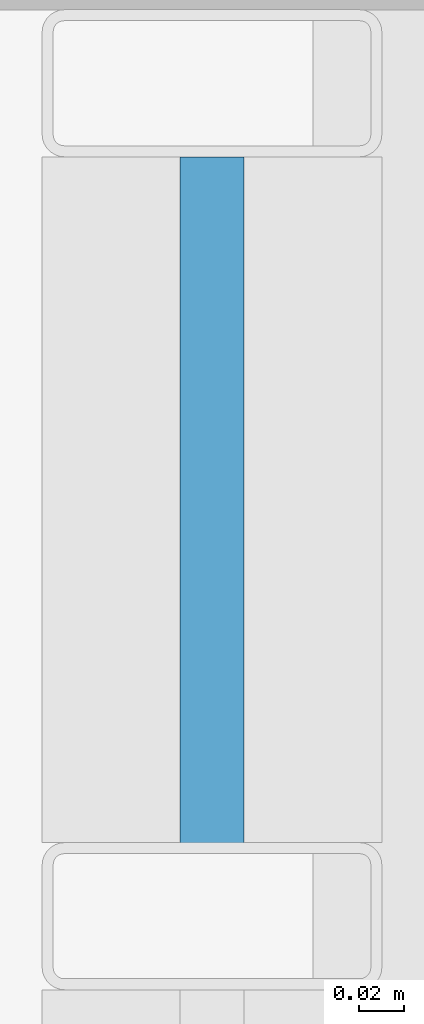
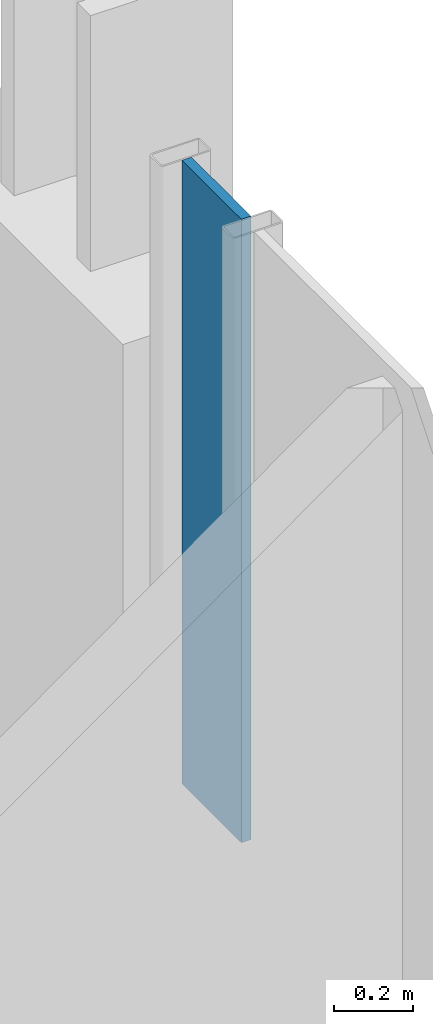
# One storey, part 28 of 40: 1 plate, 1 element without a shape of its own.
"""IFC4 building model written with IfcOpenShell, lengths in metres."""

from ifc_helpers import new_model, si_unit, direction, frame, origin, origin_2d, place, context, subcontext, project, spatial, rectangle, extrude, material, layer, layer_set, type_object, element, aggregate, save


model = new_model("IFC4")

# Units and contexts
model_context = context("Model", 3, precision=1e-05, world=origin(), true_north=direction((0.0, 1.0)))
body_context = subcontext(model_context, "Body", "Model", "MODEL_VIEW")
ifc_project = project(units=[si_unit("LENGTHUNIT", "METRE"), si_unit("AREAUNIT", "SQUARE_METRE"), si_unit("VOLUMEUNIT", "CUBIC_METRE"), si_unit("PLANEANGLEUNIT", "RADIAN"), si_unit("MASSUNIT", "GRAM", prefix="KILO")], contexts=[model_context])

# Site, building, storey
site_placement = place(None, origin())
site = spatial("IfcSite", under=ifc_project, at=site_placement, CompositionType="ELEMENT")
building_placement = place(site_placement, origin())
building = spatial("IfcBuilding", under=site, at=building_placement, Name="Brevholm Reach", CompositionType="ELEMENT")
storey_placement = place(building_placement, frame((0.0, 0.0, 80.699951171875)))
storey = spatial("IfcBuildingStorey", under=building, at=storey_placement, Name="L23", CompositionType="ELEMENT", Elevation=80.699951171875)

# Curtain wall, plate
ifc_material_1 = material(Name="Dark Anodised Aluminium 6063-T6 and Solar-Control Glass", Category="aluminium")
ifc_layer_1 = layer(ifc_material_1, 0.14990234375)
ifc_layer_set_1 = layer_set([ifc_layer_1], Name="Dark Anodised Aluminium 6063-T6 and Solar-Control Glass")
curtain_wall_type = type_object("IfcCurtainWallType", Name="CW-01", PredefinedType="NOTDEFINED", material=ifc_layer_set_1)
curtain_wall_placement = place(storey_placement, origin())
curtain_wall = element("IfcCurtainWall", 1, at=curtain_wall_placement, inside=storey, type_object=curtain_wall_type, Name="L23 Curtain Wall CW-01", PredefinedType="NOTDEFINED")
ifc_material_2 = material(Name="Dark Solar-Control Double-Glazed IGU Glass", Category="glass")
ifc_layer_2 = layer(ifc_material_2, 0.028076171875)
ifc_layer_set_2 = layer_set([ifc_layer_2], Name="Dark Solar-Control Double-Glazed IGU Glass")
plate_type = type_object("IfcPlateType", Name="CWP-GLZ-28", PredefinedType="CURTAIN_PANEL", material=ifc_layer_set_2)
plate_placement = place(storey_placement, frame((59.85009765625, 22.733642578125, 0.9326171875), z_axis=(0.0, 0.0, 1.0), x_axis=(0.0, 1.0, 0.0)))
plate = element("IfcPlate", 2, at=plate_placement, type_object=plate_type, Name="CP-01 Glazing Panel 5.2", PredefinedType="CURTAIN_PANEL", context=body_context, shape_type="SweptSolid", body=[
    extrude(rectangle(XDim=0.302490234375, YDim=0.028076171875, at=origin_2d()), origin(), (0.0, 0.0, 1.0), 1.9375),
])
aggregate(curtain_wall, [plate])

save(model, "model.ifc")
